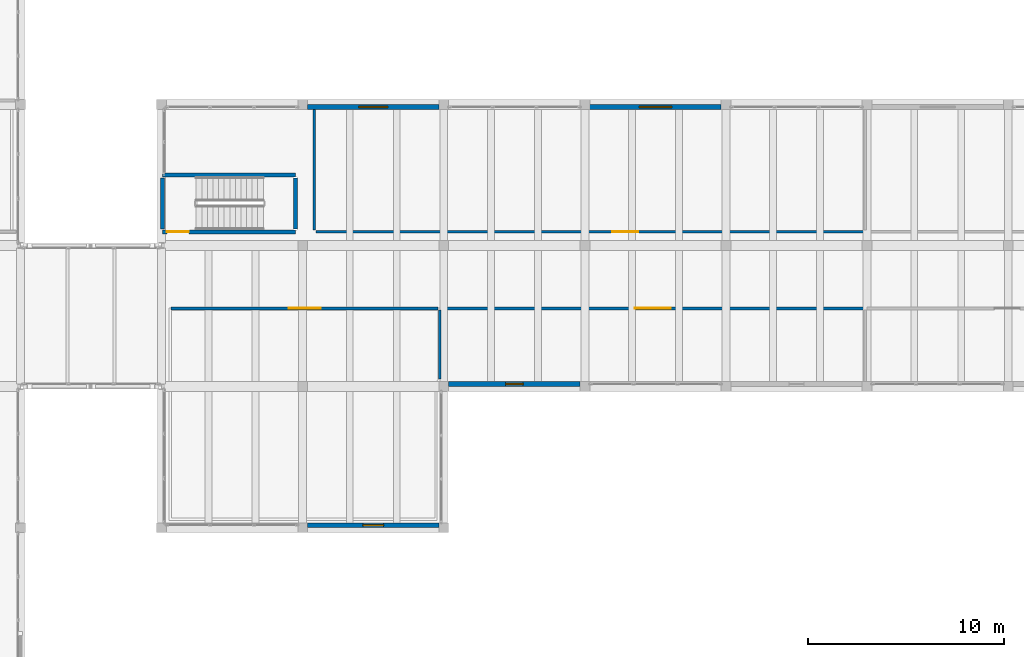
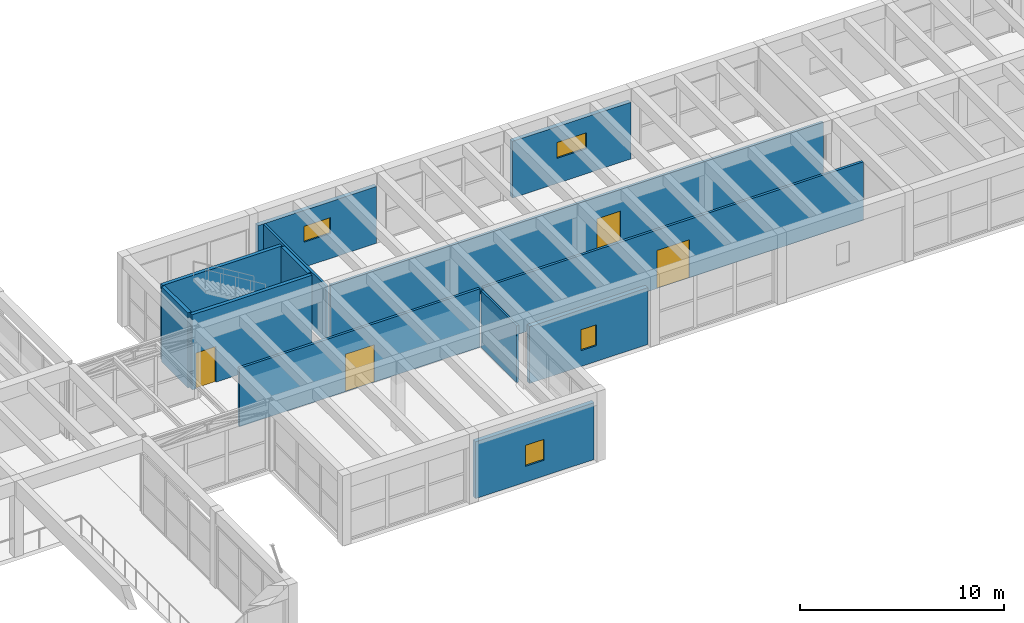
# One storey, part 137 of 153: 13 walls, 4 doors, 4 windows, 8 openings.
"""IFC4 building model written with IfcOpenShell, lengths in metres."""

from ifc_helpers import new_model, si_unit, direction, frame, frame_2d, origin, place, context, subcontext, project, spatial, rectangle, extrude, material, layer, layer_set, type_object, element, fill, save


model = new_model("IFC4")

# Units and contexts
model_context = context("Model", 3, precision=1e-05, world=origin(), true_north=direction((0.0, 1.0)))
body_context = subcontext(model_context, "Body", "Model", "MODEL_VIEW")
ifc_project = project(units=[si_unit("LENGTHUNIT", "METRE"), si_unit("AREAUNIT", "SQUARE_METRE"), si_unit("VOLUMEUNIT", "CUBIC_METRE"), si_unit("PLANEANGLEUNIT", "RADIAN"), si_unit("MASSUNIT", "GRAM", prefix="KILO")], contexts=[model_context])

# Site, building, storey
site_placement = place(None, origin())
site = spatial("IfcSite", under=ifc_project, at=site_placement, CompositionType="ELEMENT")
building_placement = place(site_placement, origin())
building = spatial("IfcBuilding", under=site, at=building_placement, Name="Bramvelor Terrace Health Centre", CompositionType="ELEMENT")
storey_placement = place(building_placement, frame((0.0, 0.0, 4.800048828125)))
storey = spatial("IfcBuildingStorey", under=building, at=storey_placement, Name="L02", CompositionType="ELEMENT", Elevation=4.800048828125)

# Walls
ifc_material_1 = material(Name="Acoustic clinical partition board", Category="gypsum")
ifc_layer_1 = layer(ifc_material_1, 0.1201171875)
ifc_layer_set_1 = layer_set([ifc_layer_1], Name="Acoustic clinical partition board")
wall_type_1 = type_object("IfcWallType", Name="WL-CLN-120", PredefinedType="PARTITIONING", material=ifc_layer_set_1)
wall_1_placement = place(storey_placement, frame((115.0, 54.300048828125, 0.0), z_axis=(0.0, 0.0, 1.0), x_axis=(0.0, -1.0, 0.0)))
element("IfcWall", 1, at=wall_1_placement, inside=storey, type_object=wall_type_1, Name="L02 Interior Partition 173", PredefinedType="PARTITIONING", context=body_context, shape_type="SweptSolid", body=[
    extrude(rectangle(XDim=3.5107421875, YDim=0.1201171875, at=frame_2d((1.75537109375, 0.0))), origin(), (0.0, 0.0, 1.0), 3.39990234375),
])
ifc_material_2 = material(Name="Acoustic clinical partition board", Category="gypsum")
ifc_layer_2 = layer(ifc_material_2, 0.1298828125)
ifc_layer_set_2 = layer_set([ifc_layer_2], Name="Acoustic clinical partition board")
wall_type_2 = type_object("IfcWallType", Name="WL-CLN-130", PredefinedType="PARTITIONING", material=ifc_layer_set_2)
wall_2_placement = place(storey_placement, frame((108.60009765625, 58.391845703125, 0.0), z_axis=(0.0, 0.0, 1.0), x_axis=(0.0, 1.0, 0.0)))
element("IfcWall", 2, at=wall_2_placement, inside=storey, type_object=wall_type_2, Name="L02 Interior Partition 181", PredefinedType="PARTITIONING", context=body_context, shape_type="SweptSolid", body=[
    extrude(rectangle(XDim=6.148193359375, YDim=0.1298828125, at=frame_2d((3.07421875, 0.0))), origin(), (0.0, 0.0, 1.0), 3.39990234375),
])

# Wall, opening, door
ifc_material_3 = material(Name="Fire-rated gypsum and mineral wool", Category="gypsum")
ifc_layer_3 = layer(ifc_material_3, 0.139892578125)
ifc_layer_set_3 = layer_set([ifc_layer_3], Name="Fire-rated gypsum and mineral wool")
wall_type_3 = type_object("IfcWallType", Name="WL-COR-140", PredefinedType="PARTITIONING", material=ifc_layer_set_3)
wall_3_placement = place(storey_placement, frame((101.2900390625, 54.389892578125, 0.0), z_axis=(0.0, 0.0, 1.0), x_axis=(1.0, 0.0, 0.0)))
wall_3 = element("IfcWall", 3, at=wall_3_placement, inside=storey, type_object=wall_type_3, Name="L02 Interior Partition 172", PredefinedType="PARTITIONING", context=body_context, shape_type="SweptSolid", body=[
    extrude(rectangle(XDim=13.619873046875, YDim=0.139892578125, at=frame_2d((6.81005859375, 0.0))), origin(), (0.0, 0.0, 1.0), 3.5),
])
opening_1_placement = place(wall_3_placement, frame((5.989990234375, 0.0, 0.0)))
opening_1 = element("IfcOpeningElement", 4, at=opening_1_placement, cuts=wall_3, Name="Opening FD-09", PredefinedType="OPENING", context=body_context, shape_type="SweptSolid", body=[
    extrude(rectangle(XDim=1.639892578125, YDim=2.239990234375, at=frame_2d((0.81982421875, 1.1201171875))), frame((0.0, 0.079833984375, 0.0), z_axis=(0.0, -1.0, 0.0), x_axis=(1.0, 0.0, 0.0)), (0.0, 0.0, 1.0), 0.159912109375),
])
ifc_material_4 = material(Name="Fire-rated steel and vision panel", Category="steel")
door_type_1 = type_object("IfcDoorType", Name="DR-FD60-164", OperationType="DOUBLE_DOOR_SINGLE_SWING", PredefinedType="DOOR", material=ifc_material_4)
door_1_placement = place(opening_1_placement, origin())
door_1 = element("IfcDoor", 5, at=door_1_placement, inside=storey, type_object=door_type_1, Name="L02 Pre-Operative Patient Preparation Ward Fire Door", OperationType="DOUBLE_DOOR_SINGLE_SWING", OverallHeight=2.239990234375, OverallWidth=1.639892578125, PredefinedType="DOOR", context=body_context, shape_type="SweptSolid", body=[
    extrude(rectangle(XDim=1.639892578125, YDim=2.239990234375, at=frame_2d((0.81982421875, 1.1201171875))), frame((0.0, 0.02490234375, 0.0), z_axis=(0.0, -1.0, 0.0), x_axis=(1.0, 0.0, 0.0)), (0.0, 0.0, 1.0), 0.050048828125),
])
fill(opening_1, door_1)

wall_4_placement = place(storey_placement, frame((115.10009765625, 54.389892578125, 0.0), z_axis=(0.0, 0.0, 1.0), x_axis=(1.0, 0.0, 0.0)))
wall_4 = element("IfcWall", 6, at=wall_4_placement, inside=storey, type_object=wall_type_3, Name="L02 Interior Partition 174", PredefinedType="PARTITIONING", context=body_context, shape_type="SweptSolid", body=[
    extrude(rectangle(XDim=21.510009765625, YDim=0.139892578125, at=frame_2d((10.7548828125, 0.0))), origin(), (0.0, 0.0, 1.0), 3.5),
])
opening_2_placement = place(wall_4_placement, frame((9.8349609375, 0.0, 0.0)))
opening_2 = element("IfcOpeningElement", 7, at=opening_2_placement, cuts=wall_4, Name="Opening FD-10", PredefinedType="OPENING", context=body_context, shape_type="SweptSolid", body=[
    extrude(rectangle(XDim=1.840087890625, YDim=2.280029296875, at=frame_2d((0.919921875, 1.14013671875))), frame((0.0, 0.079833984375, 0.0), z_axis=(0.0, -1.0, 0.0), x_axis=(1.0, 0.0, 0.0)), (0.0, 0.0, 1.0), 0.159912109375),
])
ifc_material_5 = material(Name="Fire-rated steel and vision panel", Category="steel")
door_type_2 = type_object("IfcDoorType", Name="DR-FD60-184", OperationType="DOUBLE_DOOR_SINGLE_SWING", PredefinedType="DOOR", material=ifc_material_5)
door_2_placement = place(opening_2_placement, origin())
door_2 = element("IfcDoor", 8, at=door_2_placement, inside=storey, type_object=door_type_2, Name="L02 Ophthalmic Laser Procedure Room Fire Door", OperationType="DOUBLE_DOOR_SINGLE_SWING", OverallHeight=2.280029296875, OverallWidth=1.840087890625, PredefinedType="DOOR", context=body_context, shape_type="SweptSolid", body=[
    extrude(rectangle(XDim=1.840087890625, YDim=2.280029296875, at=frame_2d((0.919921875, 1.14013671875))), frame((0.0, 0.02490234375, 0.0), z_axis=(0.0, -1.0, 0.0), x_axis=(1.0, 0.0, 0.0)), (0.0, 0.0, 1.0), 0.050048828125),
])
fill(opening_2, door_2)

wall_5_placement = place(storey_placement, frame((136.610107421875, 58.29931640625, 0.0), z_axis=(0.0, 0.0, 1.0), x_axis=(-0.999999995374, 9.6186637e-05, 0.0)))
wall_5 = element("IfcWall", 9, at=wall_5_placement, inside=storey, type_object=wall_type_3, Name="L02 Interior Partition 180", PredefinedType="PARTITIONING", context=body_context, shape_type="SweptSolid", body=[
    extrude(rectangle(XDim=27.920166015625, YDim=0.139892578125, at=frame_2d((13.9599609375, 0.0))), origin(), (0.0, 0.0, 1.0), 3.5),
])
opening_3_placement = place(wall_5_placement, frame((11.5, 0.0, 0.0)))
opening_3 = element("IfcOpeningElement", 10, at=opening_3_placement, cuts=wall_5, Name="Opening FD-05", PredefinedType="OPENING", context=body_context, shape_type="SweptSolid", body=[
    extrude(rectangle(XDim=1.320068359375, YDim=2.199951171875, at=frame_2d((0.66015625, 1.10009765625))), frame((0.0, 0.079833984375, 0.0), z_axis=(0.0, -1.0, 0.0), x_axis=(1.0, 0.0, 0.0)), (0.0, 0.0, 1.0), 0.159912109375),
])
ifc_material_6 = material(Name="Fire-rated steel and vision panel", Category="steel")
door_type_3 = type_object("IfcDoorType", Name="DR-FD60-132", OperationType="NOTDEFINED", PredefinedType="DOOR", material=ifc_material_6)
door_3_placement = place(opening_3_placement, origin())
door_3 = element("IfcDoor", 11, at=door_3_placement, inside=storey, type_object=door_type_3, Name="L02 Anaesthesia Assessment Suite Fire Door", OperationType="SINGLE_SWING_LEFT", OverallHeight=2.199951171875, OverallWidth=1.320068359375, PredefinedType="DOOR", context=body_context, shape_type="SweptSolid", body=[
    extrude(rectangle(XDim=1.320068359375, YDim=2.199951171875, at=frame_2d((0.66015625, 1.10009765625))), frame((0.0, 0.02490234375, 0.0), z_axis=(0.0, -1.0, 0.0), x_axis=(1.0, 0.0, 0.0)), (0.0, 0.0, 1.0), 0.050048828125),
])
fill(opening_3, door_3)

ifc_material_7 = material(Name="Concrete C40/50", Category="concrete")
ifc_layer_4 = layer(ifc_material_7, 0.199951171875)
ifc_layer_set_4 = layer_set([ifc_layer_4], Name="Concrete C40/50")
wall_type_4 = type_object("IfcWallType", Name="WL-CORE-200", PredefinedType="SHEAR", material=ifc_layer_set_4)
wall_6_placement = place(storey_placement, frame((100.85009765625, 58.300048828125, 0.0), z_axis=(0.0, 0.0, 1.0), x_axis=(1.0, 0.0, 0.0)))
wall_6 = element("IfcWall", 12, at=wall_6_placement, inside=storey, type_object=wall_type_4, Name="ST-5 L02 Stair Shaft Wall", PredefinedType="SHEAR", context=body_context, shape_type="SweptSolid", body=[
    extrude(rectangle(XDim=6.77490234375, YDim=0.199951171875, at=frame_2d((3.387451171875, 0.0))), origin(), (0.0, 0.0, 1.0), 4.5),
])
opening_4_placement = place(wall_6_placement, frame((0.219970703125, 0.0, 0.0)))
opening_4 = element("IfcOpeningElement", 13, at=opening_4_placement, cuts=wall_6, Name="Opening FD-06", PredefinedType="OPENING", context=body_context, shape_type="SweptSolid", body=[
    extrude(rectangle(XDim=1.1201171875, YDim=2.139892578125, at=frame_2d((0.56005859375, 1.06982421875))), frame((0.0, 0.10986328125, 0.0), z_axis=(0.0, -1.0, 0.0), x_axis=(1.0, 0.0, 0.0)), (0.0, 0.0, 1.0), 0.219970703125),
])
ifc_material_8 = material(Name="Fire-rated steel and vision panel", Category="steel")
door_type_4 = type_object("IfcDoorType", Name="DR-FD60-112", OperationType="NOTDEFINED", PredefinedType="DOOR", material=ifc_material_8)
door_4_placement = place(opening_4_placement, origin())
door_4 = element("IfcDoor", 14, at=door_4_placement, inside=storey, type_object=door_type_4, Name="ST-5 L02 Exit Stair Fire Door", OperationType="SINGLE_SWING_LEFT", OverallHeight=2.139892578125, OverallWidth=1.1201171875, PredefinedType="DOOR", context=body_context, shape_type="SweptSolid", body=[
    extrude(rectangle(XDim=1.1201171875, YDim=2.139892578125, at=frame_2d((0.56005859375, 1.06982421875))), frame((0.0, 0.02490234375, 0.0), z_axis=(0.0, -1.0, 0.0), x_axis=(1.0, 0.0, 0.0)), (0.0, 0.0, 1.0), 0.050048828125),
])
fill(opening_4, door_4)

# Walls
wall_7_placement = place(storey_placement, frame((100.85009765625, 61.199951171875, 0.0), z_axis=(0.0, 0.0, 1.0), x_axis=(1.0, 0.0, 0.0)))
element("IfcWall", 15, at=wall_7_placement, inside=storey, type_object=wall_type_4, Name="ST-5 L02 Stair Shaft Wall", PredefinedType="SHEAR", context=body_context, shape_type="SweptSolid", body=[
    extrude(rectangle(XDim=6.77490234375, YDim=0.199951171875, at=frame_2d((3.387451171875, 0.0))), origin(), (0.0, 0.0, 1.0), 4.5),
])
for number, where, z_axis, x_axis, name in (
    (16, (100.85009765625, 58.449951171875, 0.0), (0.0, 0.0, 1.0), (0.0, 1.0, 0.0), "ST-5 L02 Stair Shaft Wall"),
    (17, (107.625, 58.449951171875, 0.0), (0.0, 0.0, 1.0), (0.0, 1.0, 0.0), "ST-5 L02 Stair Shaft Wall"),
):
    element("IfcWall", number, at=place(storey_placement, frame(where, z_axis=z_axis, x_axis=x_axis)), inside=storey, type_object=wall_type_4, Name=name, PredefinedType="SHEAR", context=body_context, shape_type="SweptSolid", body=[
        extrude(rectangle(XDim=2.60009765625, YDim=0.199951171875, at=frame_2d((1.300048828125, 0.0))), origin(), (0.0, 0.0, 1.0), 4.5),
    ])

# Wall, opening, window
ifc_material_9 = material(Name="Precast concrete C40/50", Category="concrete")
ifc_layer_5 = layer(ifc_material_9, 0.239990234375)
ifc_layer_set_5 = layer_set([ifc_layer_5], Name="Precast concrete C40/50")
wall_type_5 = type_object("IfcWallType", Name="WL-EXT-RC240", PredefinedType="SOLIDWALL", material=ifc_layer_set_5)
wall_8_placement = place(storey_placement, frame((108.2451171875, 64.669921875, 0.0), z_axis=(0.0, 0.0, 1.0), x_axis=(1.0, 0.0, 0.0)))
wall_8 = element("IfcWall", 18, at=wall_8_placement, inside=storey, type_object=wall_type_5, Name="L02 Exterior Facade Wall 57", PredefinedType="SOLIDWALL", context=body_context, shape_type="SweptSolid", body=[
    extrude(rectangle(XDim=6.7099609375, YDim=0.239990234375, at=frame_2d((3.35498046875, 0.0))), origin(), (0.0, 0.0, 1.0), 3.39990234375),
])
opening_5_placement = place(wall_8_placement, frame((2.60498046875, 0.0, 1.5)))
opening_5 = element("IfcOpeningElement", 19, at=opening_5_placement, cuts=wall_8, Name="Opening WN-18", PredefinedType="OPENING", context=body_context, shape_type="SweptSolid", body=[
    extrude(rectangle(XDim=1.5, YDim=0.949951171875, at=frame_2d((0.75, 0.47509765625))), frame((0.0, 0.1298828125, 0.0), z_axis=(0.0, -1.0, 0.0), x_axis=(1.0, 0.0, 0.0)), (0.0, 0.0, 1.0), 0.260009765625),
])
ifc_material_10 = material(Name="Double low-E laminated glass", Category="glass")
window_type_1 = type_object("IfcWindowType", Name="WIN-EXT-18", PartitioningType="SINGLE_PANEL", PredefinedType="WINDOW", material=ifc_material_10)
window_1_placement = place(opening_5_placement, origin())
window_1 = element("IfcWindow", 20, at=window_1_placement, inside=storey, type_object=window_type_1, Name="L02 Scheduled Clinical Window 78", OverallHeight=0.949951171875, OverallWidth=1.5, PartitioningType="SINGLE_PANEL", PredefinedType="WINDOW", context=body_context, shape_type="SweptSolid", body=[
    extrude(rectangle(XDim=1.5, YDim=0.949951171875, at=frame_2d((0.75, 0.47509765625))), frame((0.0, 0.030029296875, 0.0), z_axis=(0.0, -1.0, 0.0), x_axis=(1.0, 0.0, 0.0)), (0.0, 0.0, 1.0), 0.06005859375),
])
fill(opening_5, window_1)

wall_9_placement = place(storey_placement, frame((122.64501953125, 64.669921875, 0.0), z_axis=(0.0, 0.0, 1.0), x_axis=(1.0, 0.0, 0.0)))
wall_9 = element("IfcWall", 21, at=wall_9_placement, inside=storey, type_object=wall_type_5, Name="L02 Exterior Facade Wall 59", PredefinedType="SOLIDWALL", context=body_context, shape_type="SweptSolid", body=[
    extrude(rectangle(XDim=6.7099609375, YDim=0.239990234375, at=frame_2d((3.35498046875, 0.0))), origin(), (0.0, 0.0, 1.0), 3.39990234375),
])
opening_6_placement = place(wall_9_placement, frame((2.530029296875, 0.0, 1.5)))
opening_6 = element("IfcOpeningElement", 22, at=opening_6_placement, cuts=wall_9, Name="Opening WN-19", PredefinedType="OPENING", context=body_context, shape_type="SweptSolid", body=[
    extrude(rectangle(XDim=1.64990234375, YDim=0.949951171875, at=frame_2d((0.824951171875, 0.47509765625))), frame((0.0, 0.1298828125, 0.0), z_axis=(0.0, -1.0, 0.0), x_axis=(1.0, 0.0, 0.0)), (0.0, 0.0, 1.0), 0.260009765625),
])
ifc_material_11 = material(Name="Double low-E laminated glass", Category="glass")
window_type_2 = type_object("IfcWindowType", Name="WIN-EXT-19", PartitioningType="SINGLE_PANEL", PredefinedType="WINDOW", material=ifc_material_11)
window_2_placement = place(opening_6_placement, origin())
window_2 = element("IfcWindow", 23, at=window_2_placement, inside=storey, type_object=window_type_2, Name="L02 Scheduled Clinical Window 79", OverallHeight=0.949951171875, OverallWidth=1.64990234375, PartitioningType="SINGLE_PANEL", PredefinedType="WINDOW", context=body_context, shape_type="SweptSolid", body=[
    extrude(rectangle(XDim=1.64990234375, YDim=0.949951171875, at=frame_2d((0.824951171875, 0.47509765625))), frame((0.0, 0.030029296875, 0.0), z_axis=(0.0, -1.0, 0.0), x_axis=(1.0, 0.0, 0.0)), (0.0, 0.0, 1.0), 0.06005859375),
])
fill(opening_6, window_2)

wall_10_placement = place(storey_placement, frame((122.155029296875, 50.530029296875, 0.0), z_axis=(0.0, 0.0, 1.0), x_axis=(-1.0, 0.0, 0.0)))
wall_10 = element("IfcWall", 24, at=wall_10_placement, inside=storey, type_object=wall_type_5, Name="L02 Exterior Facade Wall 75", PredefinedType="SOLIDWALL", context=body_context, shape_type="SweptSolid", body=[
    extrude(rectangle(XDim=6.7099609375, YDim=0.239990234375, at=frame_2d((3.35498046875, 0.0))), origin(), (0.0, 0.0, 1.0), 3.39990234375),
])
opening_7_placement = place(wall_10_placement, frame((2.905029296875, 0.0, 0.949951171875)))
opening_7 = element("IfcOpeningElement", 25, at=opening_7_placement, cuts=wall_10, Name="Opening WN-26", PredefinedType="OPENING", context=body_context, shape_type="SweptSolid", body=[
    extrude(rectangle(XDim=0.89990234375, YDim=1.25, at=frame_2d((0.449951171875, 0.625))), frame((0.0, 0.1298828125, 0.0), z_axis=(0.0, -1.0, 0.0), x_axis=(1.0, 0.0, 0.0)), (0.0, 0.0, 1.0), 0.260009765625),
])
ifc_material_12 = material(Name="Double low-E laminated glass", Category="glass")
window_type_3 = type_object("IfcWindowType", Name="WIN-EXT-26", PartitioningType="SINGLE_PANEL", PredefinedType="WINDOW", material=ifc_material_12)
window_3_placement = place(opening_7_placement, origin())
window_3 = element("IfcWindow", 26, at=window_3_placement, inside=storey, type_object=window_type_3, Name="L02 Scheduled Clinical Window 86", OverallHeight=1.25, OverallWidth=0.89990234375, PartitioningType="SINGLE_PANEL", PredefinedType="WINDOW", context=body_context, shape_type="SweptSolid", body=[
    extrude(rectangle(XDim=0.89990234375, YDim=1.25, at=frame_2d((0.449951171875, 0.625))), frame((0.0, 0.030029296875, 0.0), z_axis=(0.0, -1.0, 0.0), x_axis=(1.0, 0.0, 0.0)), (0.0, 0.0, 1.0), 0.06005859375),
])
fill(opening_7, window_3)

wall_11_placement = place(storey_placement, frame((114.955078125, 43.330078125, 0.0), z_axis=(0.0, 0.0, 1.0), x_axis=(-1.0, 0.0, 0.0)))
wall_11 = element("IfcWall", 27, at=wall_11_placement, inside=storey, type_object=wall_type_5, Name="L02 Exterior Facade Wall 77", PredefinedType="SOLIDWALL", context=body_context, shape_type="SweptSolid", body=[
    extrude(rectangle(XDim=6.7099609375, YDim=0.239990234375, at=frame_2d((3.35498046875, 0.0))), origin(), (0.0, 0.0, 1.0), 3.39990234375),
])
opening_8_placement = place(wall_11_placement, frame((2.830078125, 0.0, 0.949951171875)))
opening_8 = element("IfcOpeningElement", 28, at=opening_8_placement, cuts=wall_11, Name="Opening WN-27", PredefinedType="OPENING", context=body_context, shape_type="SweptSolid", body=[
    extrude(rectangle(XDim=1.050048828125, YDim=1.25, at=frame_2d((0.52490234375, 0.625))), frame((0.0, 0.1298828125, 0.0), z_axis=(0.0, -1.0, 0.0), x_axis=(1.0, 0.0, 0.0)), (0.0, 0.0, 1.0), 0.260009765625),
])
ifc_material_13 = material(Name="Double low-E laminated glass", Category="glass")
window_type_4 = type_object("IfcWindowType", Name="WIN-EXT-27", PartitioningType="SINGLE_PANEL", PredefinedType="WINDOW", material=ifc_material_13)
window_4_placement = place(opening_8_placement, origin())
window_4 = element("IfcWindow", 29, at=window_4_placement, inside=storey, type_object=window_type_4, Name="L02 Scheduled Clinical Window 87", OverallHeight=1.25, OverallWidth=1.050048828125, PartitioningType="SINGLE_PANEL", PredefinedType="WINDOW", context=body_context, shape_type="SweptSolid", body=[
    extrude(rectangle(XDim=1.050048828125, YDim=1.25, at=frame_2d((0.52490234375, 0.625))), frame((0.0, 0.030029296875, 0.0), z_axis=(0.0, -1.0, 0.0), x_axis=(1.0, 0.0, 0.0)), (0.0, 0.0, 1.0), 0.06005859375),
])
fill(opening_8, window_4)

save(model, "model.ifc")
